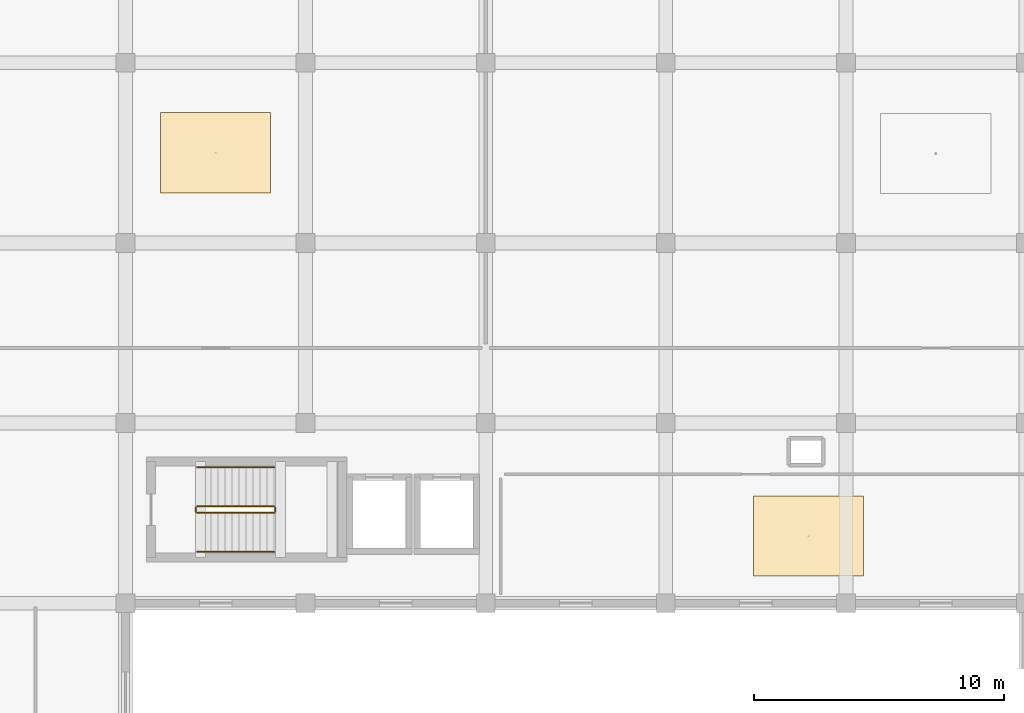
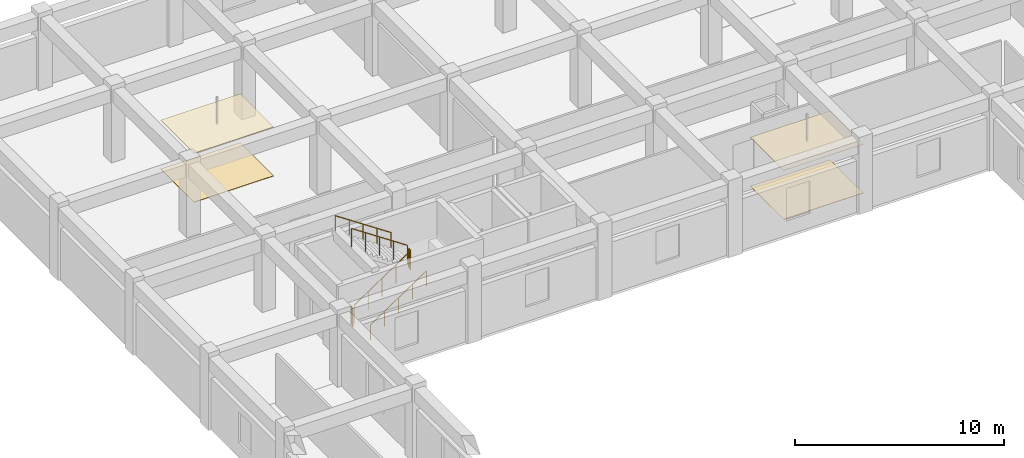
# One storey, part 47 of 48: 6 railings, 4 coverings.
"""IFC4 building model written with IfcOpenShell, lengths in metres."""

import ifcopenshell
import ifcopenshell.guid

model = None  # the IFC model being written
_history = None  # IfcOwnerHistory: only IFC2X3 demands one
_inside = {}  # id of a spatial element -> (the spatial element, [elements in it])
_under = {}  # id of a project, library or spatial element -> (it, [spatial elements below it])
_declared = {}  # id of a project -> (the project, [libraries it declares])
_typed = {}  # id of a type object -> (the type object, [elements of that type])
_made_of = {}  # id of a material, layer set ... -> (it, [elements and type objects made of it])


def new_model(schema):
    """Start an empty IFC model of exactly this schema.

    Asked for "IFC4X3", IfcOpenShell would pick the latest addendum, in which some entities
    have other attributes; the version numbers below select the first issue.
    IFC2X3 requires an IfcOwnerHistory on every rooted entity: one is made here for all.
    """
    global model, _history
    if schema == "IFC4X3":
        model = ifcopenshell.file(schema_version=(4, 3, 0, 0))
    else:
        model = ifcopenshell.file(schema=schema)
    _inside.clear()
    _under.clear()
    _declared.clear()
    _typed.clear()
    _made_of.clear()
    _history = None
    if model.schema == "IFC2X3":
        org = make("IfcOrganization", Name="unknown")
        user = make(
            "IfcPersonAndOrganization",
            ThePerson=make("IfcPerson", FamilyName="unknown"),
            TheOrganization=org,
        )
        app = make(
            "IfcApplication",
            ApplicationDeveloper=org,
            Version="unknown",
            ApplicationFullName="unknown",
            ApplicationIdentifier="unknown",
        )
        _history = make(
            "IfcOwnerHistory",
            OwningUser=user,
            OwningApplication=app,
            ChangeAction="ADDED",
            CreationDate=0,
        )
    return model


def make(cls, **values):
    """One entity of the class cls with the attributes given. An attribute that is None is left unset."""
    return model.create_entity(
        cls, **{name: value for name, value in values.items() if value is not None}
    )


def rooted(cls, **values):
    """An entity with a GlobalId (a new one), such as an element, a storey or a relation."""
    return make(cls, GlobalId=ifcopenshell.guid.new(), OwnerHistory=_history, **values)


def si_unit(unit_type, name, prefix=None):
    """IfcSIUnit, for example si_unit("LENGTHUNIT", "METRE", prefix="MILLI")."""
    return make("IfcSIUnit", UnitType=unit_type, Prefix=prefix, Name=name)


def assignment(units):
    """IfcUnitAssignment: the units of a project."""
    return None if units is None else make("IfcUnitAssignment", Units=units)


def point(xyz):
    """IfcCartesianPoint."""
    return None if xyz is None else make("IfcCartesianPoint", Coordinates=xyz)


def direction(xyz):
    """IfcDirection."""
    return None if xyz is None else make("IfcDirection", DirectionRatios=xyz)


def frame(location, z_axis=None, x_axis=None):
    """IfcAxis2Placement3D, a coordinate frame: its origin and axes. An axis left out is left unset."""
    return make(
        "IfcAxis2Placement3D",
        Location=point(location),
        Axis=direction(z_axis),
        RefDirection=direction(x_axis),
    )


def frame_2d(location, x_axis=None):
    """IfcAxis2Placement2D, a coordinate frame in the plane: its origin and x axis."""
    return make(
        "IfcAxis2Placement2D", Location=point(location), RefDirection=direction(x_axis)
    )


def origin():
    """The frame at (0, 0, 0) with its axes left unset."""
    return frame((0.0, 0.0, 0.0))


def origin_2d():
    """The frame at (0, 0) in the plane with its x axis left unset."""
    return frame_2d((0.0, 0.0))


def place(relative_to, where):
    """IfcLocalPlacement: puts the frame where relative to a parent placement (None: the world)."""
    return make(
        "IfcLocalPlacement", PlacementRelTo=relative_to, RelativePlacement=where
    )


def context(
    kind, dimensions, precision=None, world=None, true_north=None, identifier=None
):
    """IfcGeometricRepresentationContext, for example the 3D "Model" context."""
    return make(
        "IfcGeometricRepresentationContext",
        ContextIdentifier=identifier,
        ContextType=kind,
        CoordinateSpaceDimension=dimensions,
        Precision=precision,
        WorldCoordinateSystem=world,
        TrueNorth=true_north,
    )


def subcontext(parent, identifier, kind, view, scale=None):
    """IfcGeometricRepresentationSubContext, for example "Body" below "Model"."""
    return make(
        "IfcGeometricRepresentationSubContext",
        ContextIdentifier=identifier,
        ContextType=kind,
        ParentContext=parent,
        TargetScale=scale,
        TargetView=view,
    )


def project(units=None, contexts=None):
    """IfcProject with its units and contexts."""
    return rooted(
        "IfcProject",
        Name="project",
        RepresentationContexts=contexts,
        UnitsInContext=assignment(units),
    )


def spatial(cls, under=None, at=None, **own):
    """A site, building, storey or space (cls), placed at a placement, below another one or the project."""
    s = rooted(cls, ObjectPlacement=at, **own)
    if under is not None:
        _under.setdefault(under.id(), (under, []))[1].append(s)
    return s


def profile(cls, at=None, kind="AREA", **sizes):
    """A parametric profile (cls). Its sizes go by their IFC names, for example OverallWidth=200.0."""
    return make(cls, ProfileType=kind, Position=at, **sizes)


def rectangle(**sizes):
    """IfcRectangleProfileDef."""
    return profile("IfcRectangleProfileDef", **sizes)


def circle(**sizes):
    """IfcCircleProfileDef."""
    return profile("IfcCircleProfileDef", **sizes)


def extrude(swept, where, along, depth):
    """IfcExtrudedAreaSolid: the profile swept, set in the frame where, extruded along a direction by depth."""
    return make(
        "IfcExtrudedAreaSolid",
        SweptArea=swept,
        Position=where,
        ExtrudedDirection=direction(along),
        Depth=depth,
    )


def shape(context_of_items, identifier, shape_type, items):
    """IfcShapeRepresentation: the items that make up one representation, for example the "Body"."""
    return make(
        "IfcShapeRepresentation",
        ContextOfItems=context_of_items,
        RepresentationIdentifier=identifier,
        RepresentationType=shape_type,
        Items=items,
    )


def material(Name=None, Category=None):
    """IfcMaterial."""
    return make("IfcMaterial", Name=Name, Category=Category)


def layer(
    of_material, thickness, ventilated=None, Name=None, Category=None, Priority=None
):
    """IfcMaterialLayer: one layer of a wall or slab, of a material (None: an air gap)."""
    return make(
        "IfcMaterialLayer",
        Material=of_material,
        LayerThickness=thickness,
        IsVentilated=ventilated,
        Name=Name,
        Category=Category,
        Priority=Priority,
    )


def layer_set(layers, Name=None):
    """IfcMaterialLayerSet."""
    return make("IfcMaterialLayerSet", MaterialLayers=layers, LayerSetName=Name)


def made_of(thing, what):
    """Note that an element or type object is made of a material, layer set ...; save() writes the relation."""
    if what is not None:
        _made_of.setdefault(what.id(), (what, []))[1].append(thing)
    return thing


def type_object(cls, material=None, **own):
    """A type object (cls), such as IfcWallType, which elements share."""
    return made_of(rooted(cls, **own), material)


def element(
    cls,
    number,
    at=None,
    inside=None,
    cuts=None,
    type_object=None,
    material=None,
    context=None,
    identifier="Body",
    shape_type=None,
    held_by="IfcProductDefinitionShape",
    body=None,
    shapes=None,
    **own,
):
    """One element of the class cls, such as IfcWall. Its Tag is "e" and its number.

    at: its placement. inside: the storey or other place that contains it. cuts: it is an
    opening in that element (IfcRelVoidsElement). A single representation is given by context,
    identifier, shape_type and body (its items); several are given by shapes. held_by: the class
    of the entity that holds the representations. save() writes the other relations.
    """
    e = rooted(cls, Tag="e%d" % number, ObjectPlacement=at, **own)
    if body is not None:
        shapes = [shape(context, identifier, shape_type, body)]
    if shapes is not None:
        e.Representation = make(held_by, Representations=shapes)
    if inside is not None:
        _inside.setdefault(inside.id(), (inside, []))[1].append(e)
    if cuts is not None:
        rooted(
            "IfcRelVoidsElement", RelatingBuildingElement=cuts, RelatedOpeningElement=e
        )
    if type_object is not None:
        _typed.setdefault(type_object.id(), (type_object, []))[1].append(e)
    return made_of(e, material)


def aggregate(whole, parts):
    """IfcRelAggregates: a whole, such as a stair, and the parts it consists of."""
    return rooted("IfcRelAggregates", RelatingObject=whole, RelatedObjects=parts)


def save(model, path):
    """Write the relations noted so far, then the file.

    IfcRelAggregates (storeys below a building ...), IfcRelContainedInSpatialStructure (elements
    in a storey), IfcRelDefinesByType, IfcRelAssociatesMaterial and IfcRelDeclares: one each for
    every whole, place, type object, material and project.
    """
    for whole, parts in _under.values():
        aggregate(whole, parts)
    for where, things in _inside.values():
        rooted(
            "IfcRelContainedInSpatialStructure",
            RelatedElements=things,
            RelatingStructure=where,
        )
    for kind, things in _typed.values():
        rooted("IfcRelDefinesByType", RelatedObjects=things, RelatingType=kind)
    for what, things in _made_of.values():
        rooted("IfcRelAssociatesMaterial", RelatedObjects=things, RelatingMaterial=what)
    for by, libraries in _declared.values():
        rooted("IfcRelDeclares", RelatingContext=by, RelatedDefinitions=libraries)
    model.write(path)


model = new_model("IFC4")

# Units and contexts
model_context = context("Model", 3, precision=1e-05, world=origin(), true_north=direction((0.0, 1.0)))
body_context = subcontext(model_context, "Body", "Model", "MODEL_VIEW")
ifc_project = project(units=[si_unit("LENGTHUNIT", "METRE"), si_unit("AREAUNIT", "SQUARE_METRE"), si_unit("VOLUMEUNIT", "CUBIC_METRE"), si_unit("PLANEANGLEUNIT", "RADIAN"), si_unit("MASSUNIT", "GRAM", prefix="KILO")], contexts=[model_context])

# Site, building, storey
site_placement = place(None, origin())
site = spatial("IfcSite", under=ifc_project, at=site_placement, CompositionType="ELEMENT")
building_placement = place(site_placement, origin())
building = spatial("IfcBuilding", under=site, at=building_placement, Name="Kazehaya Institute of Natural Sciences", CompositionType="ELEMENT")
storey_placement = place(building_placement, frame((0.0, 0.0, 19.800048828125)))
storey = spatial("IfcBuildingStorey", under=building, at=storey_placement, Name="L04", CompositionType="ELEMENT", Elevation=19.800048828125)

# Coverings
ifc_material_1 = material(Name="Mineral-fibre acoustic ceiling tile")
ifc_layer_1 = layer(ifc_material_1, 0.02490234375, Name="Mineral-fibre acoustic ceiling tile")
ifc_layer_set_1 = layer_set([ifc_layer_1], Name="Mineral-fibre acoustic ceiling tile")
covering_type_1 = type_object("IfcCoveringType", Name="COV-CEIL-AC", PredefinedType="CEILING", material=ifc_layer_set_1)
for number, where, z_axis, x_axis, name in (
    (1, (72.602294921875, 104.005615234375, 2.847412109375), (0.0, 0.0, 1.0), (1.0, 0.0, 0.0), "L04 Clean Room ISO Class Seven Suite ceiling 45"),
    (2, (96.300048828125, 88.675048828125, 2.847412109375), (0.0, 0.0, 1.0), (1.0, 0.0, 0.0), "L04 Researcher Write-up Office ceiling 47"),
):
    element("IfcCovering", number, at=place(storey_placement, frame(where, z_axis=z_axis, x_axis=x_axis)), inside=storey, type_object=covering_type_1, Name=name, PredefinedType="CEILING", context=body_context, shape_type="SweptSolid", body=[
        extrude(rectangle(XDim=4.39990234375, YDim=3.199951171875, at=origin_2d()), origin(), (0.0, 0.0, 1.0), 0.02490234375),
    ])
ifc_material_2 = material(Name="Polished Sawara stone terrazzo flooring", Category="masonry")
ifc_layer_2 = layer(ifc_material_2, 0.02001953125, Name="Polished Sawara stone terrazzo flooring", Category="masonry")
ifc_layer_set_2 = layer_set([ifc_layer_2], Name="Polished Sawara stone terrazzo flooring")
covering_type_2 = type_object("IfcCoveringType", Name="COV-FLR-TRZ", PredefinedType="FLOORING", material=ifc_layer_set_2)
for number, where, z_axis, x_axis, name in (
    (3, (72.602294921875, 104.005615234375, 0.0), (0.0, 0.0, 1.0), (1.0, 0.0, 0.0), "L04 Clean Room ISO Class Seven Suite finish flooring 45"),
    (4, (96.300048828125, 88.675048828125, 0.0), (0.0, 0.0, 1.0), (1.0, 0.0, 0.0), "L04 Researcher Write-up Office finish flooring 47"),
):
    element("IfcCovering", number, at=place(storey_placement, frame(where, z_axis=z_axis, x_axis=x_axis)), inside=storey, type_object=covering_type_2, Name=name, PredefinedType="FLOORING", context=body_context, shape_type="SweptSolid", body=[
        extrude(rectangle(XDim=4.39990234375, YDim=3.199951171875, at=origin_2d()), origin(), (0.0, 0.0, 1.0), 0.02001953125),
    ])

# Railings
ifc_material_3 = material(Name="Structural steel SN490B", Category="steel")
railing_type_1 = type_object("IfcRailingType", Name="RL-STAIR-GRD", PredefinedType="GUARDRAIL", material=ifc_material_3)
railing_1_placement = place(storey_placement, frame((71.860107421875, 89.610107421875, 0.1875)))
element("IfcRailing", 5, at=railing_1_placement, inside=storey, type_object=railing_type_1, Name="L04 ST-3 stair guard 1", PredefinedType="GUARDRAIL", context=body_context, shape_type="SweptSolid", body=[
    extrude(circle(Radius=0.02392578125, at=origin_2d()), frame((0.0, 0.0, 1.076171875), z_axis=(0.830893310487, 0.0, 0.556431762742), x_axis=(0.0, 1.0, 0.0)), (0.0, 0.0, 1.0), 3.70654296875),
    extrude(circle(Radius=0.02099609375, at=origin_2d()), origin(), (0.0, 0.0, 1.0), 1.052001953125),
    extrude(circle(Radius=0.02099609375, at=origin_2d()), frame((0.77001953125, 0.0, 0.515625)), (0.0, 0.0, 1.0), 1.052001953125),
    extrude(circle(Radius=0.02099609375, at=origin_2d()), frame((1.5400390625, 0.0, 1.03125)), (0.0, 0.0, 1.0), 1.052001953125),
    extrude(circle(Radius=0.02099609375, at=origin_2d()), frame((2.309814453125, 0.0, 1.546875)), (0.0, 0.0, 1.0), 1.052001953125),
    extrude(circle(Radius=0.02099609375, at=origin_2d()), frame((3.079833984375, 0.0, 2.0625)), (0.0, 0.0, 1.0), 1.052001953125),
])
railing_2_placement = place(storey_placement, frame((74.989990234375, 89.659912109375, 2.25)))
element("IfcRailing", 6, at=railing_2_placement, inside=storey, type_object=railing_type_1, Name="L04 ST-3 stair guard 2", PredefinedType="GUARDRAIL", context=body_context, shape_type="SweptSolid", body=[
    extrude(circle(Radius=0.02392578125, at=origin_2d()), frame((0.0, 0.0, 1.076171875), z_axis=(0.0, 1.0, 0.0), x_axis=(-1.0, 0.0, 0.0)), (0.0, 0.0, 1.0), 0.16015625),
    extrude(circle(Radius=0.02099609375, at=origin_2d()), origin(), (0.0, 0.0, 1.0), 1.052001953125),
    extrude(circle(Radius=0.02099609375, at=origin_2d()), frame((0.0, 0.16015625, 0.0)), (0.0, 0.0, 1.0), 1.052001953125),
])
railing_3_placement = place(storey_placement, frame((74.93994140625, 89.8701171875, 2.4375)))
element("IfcRailing", 7, at=railing_3_placement, inside=storey, type_object=railing_type_1, Name="L04 ST-3 stair guard 3", PredefinedType="GUARDRAIL", context=body_context, shape_type="SweptSolid", body=[
    extrude(circle(Radius=0.02392578125, at=origin_2d()), frame((0.0, 0.0, 1.076171875), z_axis=(-0.830893310487, 0.0, 0.556431762742), x_axis=(0.0, -1.0, 0.0)), (0.0, 0.0, 1.0), 3.70654296875),
    extrude(circle(Radius=0.02099609375, at=origin_2d()), origin(), (0.0, 0.0, 1.0), 1.052001953125),
    extrude(circle(Radius=0.02099609375, at=origin_2d()), frame((-0.77001953125, 0.0, 0.515625)), (0.0, 0.0, 1.0), 1.052001953125),
    extrude(circle(Radius=0.02099609375, at=origin_2d()), frame((-1.5400390625, 0.0, 1.03125)), (0.0, 0.0, 1.0), 1.052001953125),
    extrude(circle(Radius=0.02099609375, at=origin_2d()), frame((-2.309814453125, 0.0, 1.546875)), (0.0, 0.0, 1.0), 1.052001953125),
    extrude(circle(Radius=0.02099609375, at=origin_2d()), frame((-3.079833984375, 0.0, 2.0625)), (0.0, 0.0, 1.0), 1.052001953125),
])
railing_4_placement = place(storey_placement, frame((71.81005859375, 89.659912109375, 0.0)))
element("IfcRailing", 8, at=railing_4_placement, inside=storey, type_object=railing_type_1, Name="L04 ST-3 stair guard 4", PredefinedType="GUARDRAIL", context=body_context, shape_type="SweptSolid", body=[
    extrude(circle(Radius=0.02392578125, at=origin_2d()), frame((0.0, 0.0, 1.076171875), z_axis=(0.0, 1.0, 0.0), x_axis=(-1.0, 0.0, 0.0)), (0.0, 0.0, 1.0), 0.16015625),
    extrude(circle(Radius=0.02099609375, at=origin_2d()), origin(), (0.0, 0.0, 1.0), 1.052001953125),
    extrude(circle(Radius=0.02099609375, at=origin_2d()), frame((0.0, 0.16015625, 0.0)), (0.0, 0.0, 1.0), 1.052001953125),
])
ifc_material_4 = material(Name="Brushed stainless steel handrail", Category="steel")
railing_type_2 = type_object("IfcRailingType", Name="RL-STAIR-HND", PredefinedType="HANDRAIL", material=ifc_material_4)
railing_5_placement = place(storey_placement, frame((71.860107421875, 88.050048828125, 0.1875)))
element("IfcRailing", 9, at=railing_5_placement, inside=storey, type_object=railing_type_2, Name="L04 ST-3 stair handrail 1", PredefinedType="HANDRAIL", context=body_context, shape_type="SweptSolid", body=[
    extrude(circle(Radius=0.02392578125, at=origin_2d()), frame((0.0, 0.0, 0.8759765625), z_axis=(0.830893310487, 0.0, 0.556431762742), x_axis=(0.0, 1.0, 0.0)), (0.0, 0.0, 1.0), 3.70654296875),
    extrude(circle(Radius=0.02099609375, at=origin_2d()), origin(), (0.0, 0.0, 1.0), 0.851806640625),
    extrude(circle(Radius=0.02099609375, at=origin_2d()), frame((0.77001953125, 0.0, 0.515625)), (0.0, 0.0, 1.0), 0.851806640625),
    extrude(circle(Radius=0.02099609375, at=origin_2d()), frame((1.5400390625, 0.0, 1.03125)), (0.0, 0.0, 1.0), 0.851806640625),
    extrude(circle(Radius=0.02099609375, at=origin_2d()), frame((2.309814453125, 0.0, 1.546875)), (0.0, 0.0, 1.0), 0.851806640625),
    extrude(circle(Radius=0.02099609375, at=origin_2d()), frame((3.079833984375, 0.0, 2.0625)), (0.0, 0.0, 1.0), 0.851806640625),
])
railing_6_placement = place(storey_placement, frame((74.93994140625, 91.429931640625, 2.4375)))
element("IfcRailing", 10, at=railing_6_placement, inside=storey, type_object=railing_type_2, Name="L04 ST-3 stair handrail 2", PredefinedType="HANDRAIL", context=body_context, shape_type="SweptSolid", body=[
    extrude(circle(Radius=0.02392578125, at=origin_2d()), frame((0.0, 0.0, 0.8759765625), z_axis=(-0.830893310487, 0.0, 0.556431762742), x_axis=(0.0, -1.0, 0.0)), (0.0, 0.0, 1.0), 3.70654296875),
    extrude(circle(Radius=0.02099609375, at=origin_2d()), origin(), (0.0, 0.0, 1.0), 0.851806640625),
    extrude(circle(Radius=0.02099609375, at=origin_2d()), frame((-0.77001953125, 0.0, 0.515625)), (0.0, 0.0, 1.0), 0.851806640625),
    extrude(circle(Radius=0.02099609375, at=origin_2d()), frame((-1.5400390625, 0.0, 1.03125)), (0.0, 0.0, 1.0), 0.851806640625),
    extrude(circle(Radius=0.02099609375, at=origin_2d()), frame((-2.309814453125, 0.0, 1.546875)), (0.0, 0.0, 1.0), 0.851806640625),
    extrude(circle(Radius=0.02099609375, at=origin_2d()), frame((-3.079833984375, 0.0, 2.0625)), (0.0, 0.0, 1.0), 0.851806640625),
])

save(model, "model.ifc")
